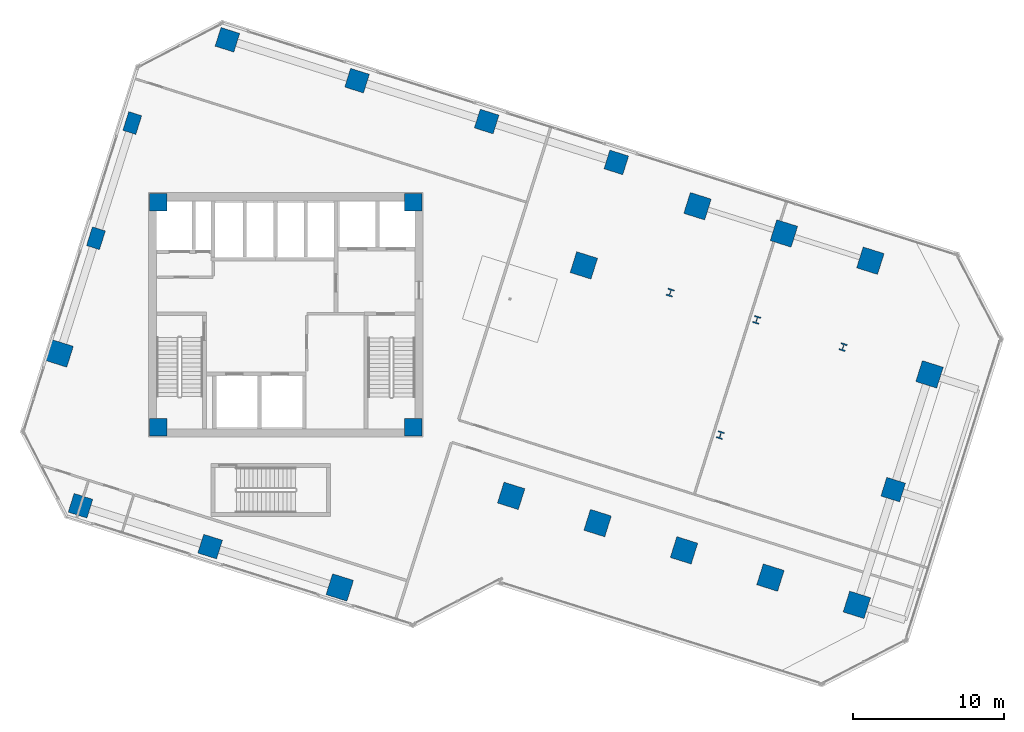
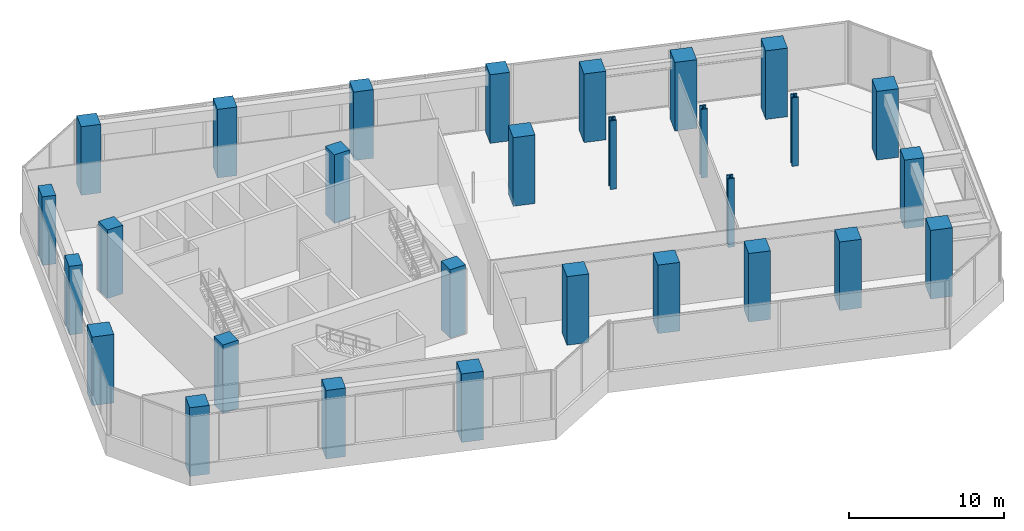
# One storey, part 1 of 28: 29 columns.
"""IFC4 building model written with IfcOpenShell, lengths in metres."""

from ifc_helpers import new_model, si_unit, direction, frame, origin, origin_2d, place, context, subcontext, project, spatial, rectangle, i_section, extrude, source, transform, mapped, material, material_profile, profile_set, type_object, element, save


model = new_model("IFC4")

# Units and contexts
model_context = context("Model", 3, precision=1e-05, world=origin(), true_north=direction((0.0, 1.0)))
body_context = subcontext(model_context, "Body", "Model", "MODEL_VIEW")
ifc_project = project(units=[si_unit("LENGTHUNIT", "METRE"), si_unit("AREAUNIT", "SQUARE_METRE"), si_unit("VOLUMEUNIT", "CUBIC_METRE"), si_unit("PLANEANGLEUNIT", "RADIAN"), si_unit("MASSUNIT", "GRAM", prefix="KILO")], contexts=[model_context])

# Site, building, storey
site_placement = place(None, origin())
site = spatial("IfcSite", under=ifc_project, at=site_placement, CompositionType="ELEMENT")
building_placement = place(site_placement, origin())
building = spatial("IfcBuilding", under=site, at=building_placement, Name="Torre Montelarca", CompositionType="ELEMENT")
storey_placement = place(building_placement, frame((0.0, 0.0, 116.800048828125)))
storey = spatial("IfcBuildingStorey", under=building, at=storey_placement, Name="L26", CompositionType="ELEMENT", Elevation=116.800048828125)

# Columns
ifc_material_1 = material(Name="Concrete C55/67", Category="concrete")
ifc_material_profile_1 = material_profile(ifc_material_1, rectangle(XDim=0.89990234375, YDim=1.300048828125, at=origin_2d()), Name="RC1300X900", Category="concrete")
ifc_profile_set_1 = profile_set([ifc_material_profile_1], Name="Concrete C55/67")
column_type_1 = type_object("IfcColumnType", Name="COL-PIL1300-EXT", PredefinedType="PILASTER", material=ifc_profile_set_1)
shared_shape_1 = source(origin(), body_context, "Body", "SweptSolid", [
    extrude(rectangle(XDim=0.89990234375, YDim=1.300048828125, at=origin_2d()), origin(), (0.0, 0.0, 1.0), 5.3984375),
])
for number, where, z_axis, x_axis, name in (
    (1, (5.429931640625, 37.06689453125, 0.000732421875), (0.0, 0.0, 1.0), (-0.953716950748, 0.300705799504, 0.0), "L26 Column 1W/E"),
    (2, (7.83544921875, 44.696533203125, 0.000732421875), (0.0, 0.0, 1.0), (-0.953716950748, 0.300705799504, 0.0), "L26 Column 1W/F"),
):
    element("IfcColumn", number, at=place(storey_placement, frame(where, z_axis=z_axis, x_axis=x_axis)), inside=storey, type_object=column_type_1, Name=name, PredefinedType="PILASTER", context=body_context, shape_type="MappedRepresentation", body=[
        mapped(shared_shape_1, transform((0.0, 0.0, 0.0), scale=1.0)),
    ])
ifc_material_2 = material(Name="Concrete C70/85", Category="concrete")
ifc_material_profile_2 = material_profile(ifc_material_2, rectangle(XDim=1.449951171875, YDim=1.449951171875, at=origin_2d()), Name="RC1450X1450", Category="concrete")
ifc_profile_set_2 = profile_set([ifc_material_profile_2], Name="Concrete C70/85")
column_type_2 = type_object("IfcColumnType", Name="COL-RC1450-EXT", PredefinedType="COLUMN", material=ifc_profile_set_2)
shared_shape_2 = source(origin(), body_context, "Body", "SweptSolid", [
    extrude(rectangle(XDim=1.449951171875, YDim=1.449951171875, at=origin_2d()), origin(), (0.0, 0.0, 1.0), 5.3984375),
])
for number, where, z_axis, x_axis, name in (
    (3, (21.5732421875, 13.942138671875, 0.000732421875), (0.0, 0.0, 1.0), (-0.953716950748, 0.300705799504, 0.0), "L26 Perimeter Mega Column 4/CS"),
    (4, (55.8125, 12.793212890625, 0.000732421875), (0.0, 0.0, 1.0), (-0.953716950748, 0.300705799504, 0.0), "L26 Perimeter Mega Column 9/D"),
    (5, (60.623779296875, 28.052490234375, 0.000732421875), (0.0, 0.0, 1.0), (-0.953716950748, 0.300705799504, 0.0), "L26 Perimeter Mega Column 9/F"),
    (6, (3.024169921875, 29.437255859375, 0.000732421875), (0.0, 0.0, 1.0), (-0.953716950748, 0.300705799504, 0.0), "L26 Perimeter Mega Column 1W/D"),
):
    element("IfcColumn", number, at=place(storey_placement, frame(where, z_axis=z_axis, x_axis=x_axis)), inside=storey, type_object=column_type_2, Name=name, PredefinedType="COLUMN", context=body_context, shape_type="MappedRepresentation", body=[
        mapped(shared_shape_2, transform((0.0, 0.0, 0.0), scale=1.0)),
    ])
ifc_material_profile_3 = material_profile(ifc_material_2, rectangle(XDim=1.449951171875, YDim=1.449951171875, at=origin_2d()), Name="RC1450X1450", Category="concrete")
ifc_profile_set_3 = profile_set([ifc_material_profile_3], Name="Concrete C70/85")
column_type_3 = type_object("IfcColumnType", Name="COL-RC1450", PredefinedType="COLUMN", material=ifc_profile_set_3)
shared_shape_3 = source(origin(), body_context, "Body", "SweptSolid", [
    extrude(rectangle(XDim=1.449951171875, YDim=1.449951171875, at=origin_2d()), origin(), (0.0, 0.0, 1.0), 5.3984375),
])
for number, where, z_axis, x_axis, name in (
    (7, (32.923095703125, 20.010009765625, 0.000732421875), (0.0, 0.0, 1.0), (-0.953716950748, 0.300705799504, 0.0), "L26 Column 5/D"),
    (8, (37.734619140625, 35.26953125, 0.000732421875), (0.0, 0.0, 1.0), (-0.953716950748, 0.300705799504, 0.0), "L26 Column 5/F"),
    (9, (38.6455078125, 18.205810546875, 0.000732421875), (0.0, 0.0, 1.0), (-0.953716950748, 0.300705799504, 0.0), "L26 Column 6/D"),
    (10, (45.260986328125, 39.1875, 0.000732421875), (0.0, 0.0, 1.0), (-0.953716950748, 0.300705799504, 0.0), "L26 Column 6/G"),
    (11, (44.367919921875, 16.401611328125, 0.000732421875), (0.0, 0.0, 1.0), (-0.953716950748, 0.300705799504, 0.0), "L26 Column 7/D"),
    (12, (50.9833984375, 37.38330078125, 0.000732421875), (0.0, 0.0, 1.0), (-0.953716950748, 0.300705799504, 0.0), "L26 Column 7/G"),
    (13, (50.090087890625, 14.597412109375, 0.000732421875), (0.0, 0.0, 1.0), (-0.953716950748, 0.300705799504, 0.0), "L26 Column 8/D"),
    (14, (56.705810546875, 35.5791015625, 0.000732421875), (0.0, 0.0, 1.0), (-0.953716950748, 0.300705799504, 0.0), "L26 Column 8/G"),
):
    element("IfcColumn", number, at=place(storey_placement, frame(where, z_axis=z_axis, x_axis=x_axis)), inside=storey, type_object=column_type_3, Name=name, PredefinedType="COLUMN", context=body_context, shape_type="MappedRepresentation", body=[
        mapped(shared_shape_3, transform((0.0, 0.0, 0.0), scale=1.0)),
    ])
ifc_material_profile_4 = material_profile(ifc_material_1, rectangle(XDim=1.14990234375, YDim=1.14990234375, at=origin_2d()), Name="RC1150X1150", Category="concrete")
ifc_profile_set_4 = profile_set([ifc_material_profile_4], Name="Concrete C55/67")
column_type_4 = type_object("IfcColumnType", Name="COL-RC1150", PredefinedType="COLUMN", material=ifc_profile_set_4)
shared_shape_4 = source(origin(), body_context, "Body", "SweptSolid", [
    extrude(rectangle(XDim=1.14990234375, YDim=1.14990234375, at=origin_2d()), origin(), (0.0, 0.0, 1.0), 5.3984375),
])
for number, where, z_axis, x_axis, name in (
    (15, (9.550048828125, 24.550048828125, 0.000732421875), (0.0, 0.0, 1.0), (1.0, 0.0, 0.0), "L26 Plumb Core Corner Column 2D"),
    (16, (26.449951171875, 24.550048828125, 0.000732421875), (0.0, 0.0, 1.0), (1.0, 0.0, 0.0), "L26 Plumb Core Corner Column 4D"),
    (17, (9.550048828125, 39.449951171875, 0.000732421875), (0.0, 0.0, 1.0), (1.0, 0.0, 0.0), "L26 Plumb Core Corner Column 2F"),
    (18, (26.449951171875, 39.449951171875, 0.000732421875), (0.0, 0.0, 1.0), (1.0, 0.0, 0.0), "L26 Plumb Core Corner Column 4F"),
):
    element("IfcColumn", number, at=place(storey_placement, frame(where, z_axis=z_axis, x_axis=x_axis)), inside=storey, type_object=column_type_4, Name=name, PredefinedType="COLUMN", context=body_context, shape_type="MappedRepresentation", body=[
        mapped(shared_shape_4, transform((0.0, 0.0, 0.0), scale=1.0)),
    ])
ifc_material_profile_5 = material_profile(ifc_material_2, rectangle(XDim=1.300048828125, YDim=1.300048828125, at=origin_2d()), Name="RC1300X1300", Category="concrete")
ifc_profile_set_5 = profile_set([ifc_material_profile_5], Name="Concrete C70/85")
column_type_5 = type_object("IfcColumnType", Name="COL-RC1300-EXT", PredefinedType="COLUMN", material=ifc_profile_set_5)
shared_shape_5 = source(origin(), body_context, "Body", "SweptSolid", [
    extrude(rectangle(XDim=1.300048828125, YDim=1.300048828125, at=origin_2d()), origin(), (0.0, 0.0, 1.0), 5.3984375),
])
for number, where, z_axis, x_axis, name in (
    (19, (4.406494140625, 19.35498046875, 0.000732421875), (0.0, 0.0, 1.0), (-0.953716950748, 0.300705799504, 0.0), "L26 Column 2/CS"),
    (20, (14.13427734375, 50.20751953125, 0.000732421875), (0.0, 0.0, 1.0), (-0.953716950748, 0.300705799504, 0.0), "L26 Column 2/GN"),
    (21, (12.989990234375, 16.6484375, 0.000732421875), (0.0, 0.0, 1.0), (-0.953716950748, 0.300705799504, 0.0), "L26 Column 3/CS"),
    (22, (22.7177734375, 47.501220703125, 0.000732421875), (0.0, 0.0, 1.0), (-0.953716950748, 0.300705799504, 0.0), "L26 Column 3/GN"),
    (23, (31.301025390625, 44.794921875, 0.000732421875), (0.0, 0.0, 1.0), (-0.953716950748, 0.300705799504, 0.0), "L26 Column 4/GN"),
    (24, (39.884521484375, 42.088623046875, 0.000732421875), (0.0, 0.0, 1.0), (-0.953716950748, 0.300705799504, 0.0), "L26 Column 5/GN"),
    (25, (58.218017578125, 20.4228515625, 0.000732421875), (0.0, 0.0, 1.0), (-0.953716950748, 0.300705799504, 0.0), "L26 Column 9/E"),
):
    element("IfcColumn", number, at=place(storey_placement, frame(where, z_axis=z_axis, x_axis=x_axis)), inside=storey, type_object=column_type_5, Name=name, PredefinedType="COLUMN", context=body_context, shape_type="MappedRepresentation", body=[
        mapped(shared_shape_5, transform((0.0, 0.0, 0.0), scale=1.0)),
    ])
ifc_material_3 = material(Name="Steel ASTM A992 Grade 50", Category="steel")
ifc_material_profile_6 = material_profile(ifc_material_3, i_section(OverallWidth=0.431884765625, OverallDepth=0.498046875, WebThickness=0.0556640625, FlangeThickness=0.0888671875, FilletRadius=0.014892578125, at=origin_2d()), Name="W360X744", Category="steel")
ifc_profile_set_6 = profile_set([ifc_material_profile_6], Name="Steel ASTM A992 Grade 50")
column_type_6 = type_object("IfcColumnType", Name="COL-W360X744", PredefinedType="COLUMN", material=ifc_profile_set_6)
shared_shape_6 = source(origin(), body_context, "Body", "SweptSolid", [
    extrude(i_section(OverallWidth=0.431884765625, OverallDepth=0.498046875, WebThickness=0.0556640625, FlangeThickness=0.0888671875, FilletRadius=0.014892578125, at=origin_2d()), origin(), (0.0, 0.0, 1.0), 5.3984375),
])
for number, where, z_axis, x_axis, name in (
    (26, (43.456787109375, 33.46533203125, 0.000732421875), (0.0, 0.0, 1.0), (-0.953716950748, 0.300705799504, 0.0), "L26 Column 6/F"),
    (27, (46.7734375, 24.03125, 0.000732421875), (0.0, 0.0, 1.0), (-0.953716950748, 0.300705799504, 0.0), "L26 Column 7/E"),
    (28, (49.17919921875, 31.660888671875, 0.000732421875), (0.0, 0.0, 1.0), (-0.953716950748, 0.300705799504, 0.0), "L26 Column 7/F"),
    (29, (54.9013671875, 29.856689453125, 0.000732421875), (0.0, 0.0, 1.0), (-0.953716950748, 0.300705799504, 0.0), "L26 Column 8/F"),
):
    element("IfcColumn", number, at=place(storey_placement, frame(where, z_axis=z_axis, x_axis=x_axis)), inside=storey, type_object=column_type_6, Name=name, PredefinedType="COLUMN", context=body_context, shape_type="MappedRepresentation", body=[
        mapped(shared_shape_6, transform((0.0, 0.0, 0.0), scale=1.0)),
    ])

save(model, "model.ifc")
